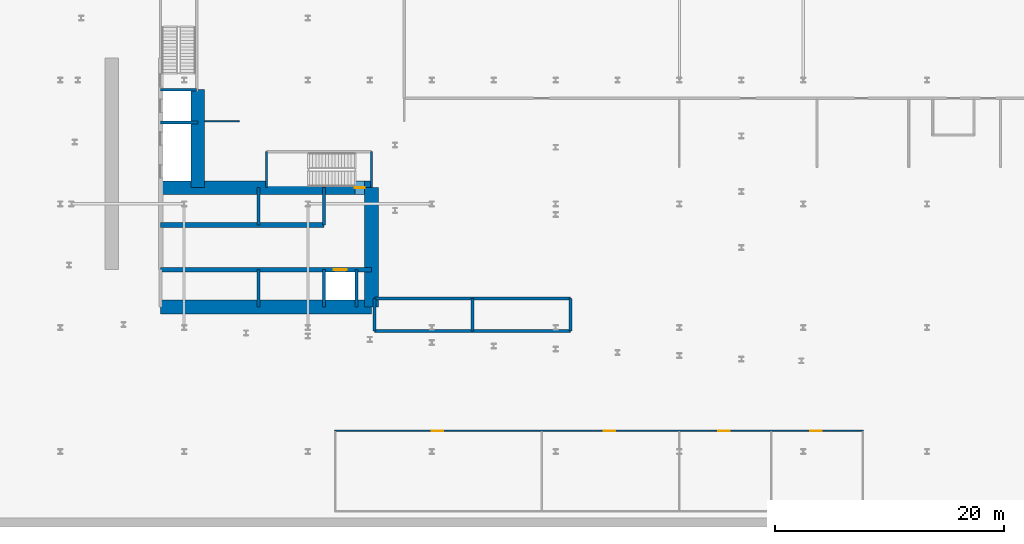
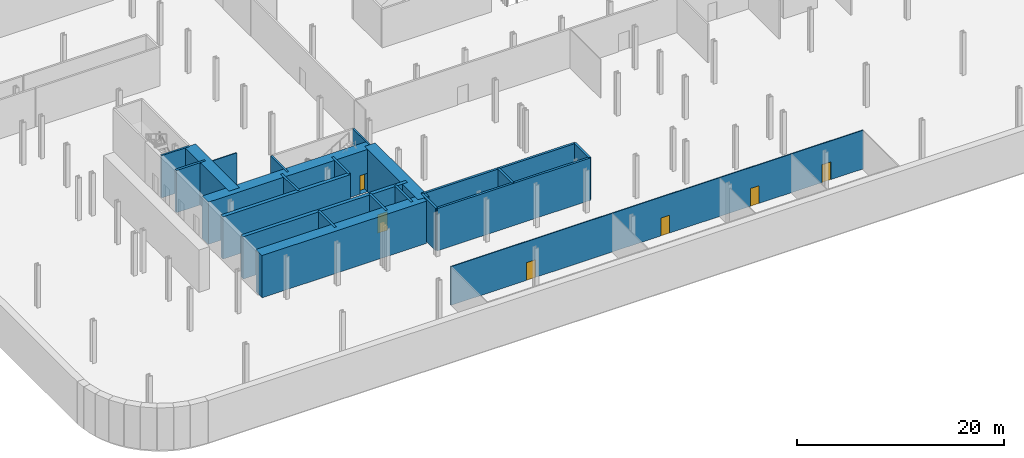
# One storey, part 8 of 19: 22 walls, 6 doors, 6 openings.
"""IFC4 building model written with IfcOpenShell, lengths in metres."""

from ifc_helpers import new_model, si_unit, direction, frame, frame_2d, origin, place, context, subcontext, project, spatial, rectangle, extrude, source, transform, mapped, material, layer, layer_set, type_object, element, fill, save


model = new_model("IFC4")

# Units and contexts
model_context = context("Model", 3, precision=1e-05, world=origin(), true_north=direction((0.0, 1.0)))
body_context = subcontext(model_context, "Body", "Model", "MODEL_VIEW")
ifc_project = project(units=[si_unit("LENGTHUNIT", "METRE"), si_unit("AREAUNIT", "SQUARE_METRE"), si_unit("VOLUMEUNIT", "CUBIC_METRE"), si_unit("PLANEANGLEUNIT", "RADIAN"), si_unit("MASSUNIT", "GRAM", prefix="KILO")], contexts=[model_context])

# Site, building, storey
site_placement = place(None, origin())
site = spatial("IfcSite", under=ifc_project, at=site_placement, CompositionType="ELEMENT")
building_placement = place(site_placement, origin())
building = spatial("IfcBuilding", under=site, at=building_placement, Name="Kheshtan School and Residences Tower", CompositionType="ELEMENT")
storey_placement = place(building_placement, frame((0.0, 0.0, -5.0)))
storey = spatial("IfcBuildingStorey", under=building, at=storey_placement, Name="B1", CompositionType="ELEMENT", Elevation=-5.0)

# Wall
ifc_material_1 = material(Name="Concrete C80/95", Category="concrete")
ifc_layer_1 = layer(ifc_material_1, 1.199951171875)
ifc_layer_set_1 = layer_set([ifc_layer_1], Name="Core wall 1200 Concrete C80/95")
wall_type_1 = type_object("IfcWallType", Name="Core wall 1200 Concrete C80/95", PredefinedType="SHEAR", material=ifc_layer_set_1)
wall_1_placement = place(storey_placement, frame((34.75, 25.800048828125, 0.0), z_axis=(0.0, 0.0, 1.0), x_axis=(1.0, 0.0, 0.0)))
element("IfcWall", 1, at=wall_1_placement, inside=storey, type_object=wall_type_1, Name="Core wall CW-REAR-S", PredefinedType="SHEAR", context=body_context, shape_type="SweptSolid", body=[
    extrude(rectangle(XDim=18.39990234375, YDim=1.199951171875, at=frame_2d((9.199951171875, 0.0))), origin(), (0.0, 0.0, 1.0), 5.0),
])

# Wall, opening, door
wall_2_placement = place(storey_placement, frame((34.75, 36.199951171875, 0.0), z_axis=(0.0, 0.0, 1.0), x_axis=(1.0, 0.0, 0.0)))
wall_2 = element("IfcWall", 2, at=wall_2_placement, inside=storey, type_object=wall_type_1, Name="Core wall CW-FRONT-S", PredefinedType="SHEAR", context=body_context, shape_type="SweptSolid", body=[
    extrude(rectangle(XDim=18.39990234375, YDim=1.199951171875, at=frame_2d((9.199951171875, 0.0))), origin(), (0.0, 0.0, 1.0), 5.0),
])
opening_1_placement = place(wall_2_placement, frame((16.955078125, 0.0, 0.0)))
opening_1 = element("IfcOpeningElement", 3, at=opening_1_placement, cuts=wall_2, Name="Opening ST1B", PredefinedType="OPENING", context=body_context, shape_type="SweptSolid", body=[
    extrude(rectangle(XDim=0.843017578125, YDim=2.199951171875, at=frame_2d((0.42138671875, 1.10009765625))), frame((0.0, 0.60986328125, 0.0), z_axis=(0.0, -1.0, 0.0), x_axis=(1.0, 0.0, 0.0)), (0.0, 0.0, 1.0), 1.219970703125),
])
ifc_material_2 = material(Name="Steel door leaf, galvanised", Category="steel")
door_type_1 = type_object("IfcDoorType", Name="Stair door 1100 steel 90 min", OperationType="SINGLE_SWING_LEFT", PredefinedType="DOOR", material=ifc_material_2)
shared_shape_1 = source(origin(), body_context, "Body", "SweptSolid", [
    extrude(rectangle(XDim=0.843017578125, YDim=2.199951171875, at=frame_2d((0.42138671875, 1.10009765625))), frame((0.0, 0.02490234375, 0.0), z_axis=(0.0, -1.0, 0.0), x_axis=(1.0, 0.0, 0.0)), (0.0, 0.0, 1.0), 0.050048828125),
])
door_1_placement = place(opening_1_placement, origin())
door_1 = element("IfcDoor", 4, at=door_1_placement, inside=storey, type_object=door_type_1, Name="Stair ST1 door", OperationType="SINGLE_SWING_RIGHT", OverallHeight=2.199951171875, OverallWidth=0.843017578125, PredefinedType="DOOR", context=body_context, shape_type="MappedRepresentation", body=[
    mapped(shared_shape_1, transform((0.0, 0.0, 0.0), x_axis=(1.0, 0.0, 0.0), y_axis=(0.0, 1.0, 0.0), z_axis=(0.0, 0.0, 1.0), scale=1.0)),
])
fill(opening_1, door_1)

# Walls
wall_3_placement = place(storey_placement, frame((38.0, 36.199951171875, 0.0), z_axis=(0.0, 0.0, 1.0), x_axis=(0.0, 1.0, 0.0)))
element("IfcWall", 5, at=wall_3_placement, inside=storey, type_object=wall_type_1, Name="Core wall CW-FRONT-W", PredefinedType="SHEAR", context=body_context, shape_type="SweptSolid", body=[
    extrude(rectangle(XDim=8.550048828125, YDim=1.199951171875, at=frame_2d((4.27490234375, 0.0))), origin(), (0.0, 0.0, 1.0), 5.0),
])
wall_4_placement = place(storey_placement, frame((53.14990234375, 25.800048828125, 0.0), z_axis=(0.0, 0.0, 1.0), x_axis=(0.0, 1.0, 0.0)))
element("IfcWall", 6, at=wall_4_placement, inside=storey, type_object=wall_type_1, Name="Core wall CW-EAST", PredefinedType="SHEAR", context=body_context, shape_type="SweptSolid", body=[
    extrude(rectangle(XDim=10.39990234375, YDim=1.199951171875, at=frame_2d((5.199951171875, 0.0))), origin(), (0.0, 0.0, 1.0), 5.0),
])

# Wall, opening, door
ifc_material_3 = material(Name="Concrete C50/60", Category="concrete")
ifc_layer_2 = layer(ifc_material_3, 0.39990234375)
ifc_layer_set_2 = layer_set([ifc_layer_2], Name="Core wall 400 Concrete C50/60")
wall_type_2 = type_object("IfcWallType", Name="Core wall 400 Concrete C50/60", PredefinedType="SHEAR", material=ifc_layer_set_2)
wall_5_placement = place(storey_placement, frame((34.75, 29.050048828125, 0.0), z_axis=(0.0, 0.0, 1.0), x_axis=(1.0, 0.0, 0.0)))
wall_5 = element("IfcWall", 7, at=wall_5_placement, inside=storey, type_object=wall_type_2, Name="Core wall CW-HALL-S1", PredefinedType="SHEAR", context=body_context, shape_type="SweptSolid", body=[
    extrude(rectangle(XDim=18.39990234375, YDim=0.39990234375, at=frame_2d((9.199951171875, 0.0))), origin(), (0.0, 0.0, 1.0), 5.0),
])
opening_2_placement = place(wall_5_placement, frame((15.125, 0.0, 0.0)))
opening_2 = element("IfcOpeningElement", 8, at=opening_2_placement, cuts=wall_5, Name="Opening LD", PredefinedType="OPENING", context=body_context, shape_type="SweptSolid", body=[
    extrude(rectangle(XDim=1.10009765625, YDim=2.199951171875, at=frame_2d((0.550048828125, 1.10009765625))), frame((0.0, 0.2099609375, 0.0), z_axis=(0.0, -1.0, 0.0), x_axis=(1.0, 0.0, 0.0)), (0.0, 0.0, 1.0), 0.419921875),
])
ifc_material_4 = material(Name="Stainless steel door leaves", Category="steel")
door_type_2 = type_object("IfcDoorType", Name="Lift landing door 1100", OperationType="SLIDING_TO_LEFT", PredefinedType="DOOR", material=ifc_material_4)
shared_shape_2 = source(origin(), body_context, "Body", "SweptSolid", [
    extrude(rectangle(XDim=1.10009765625, YDim=2.199951171875, at=frame_2d((0.550048828125, 1.10009765625))), frame((0.0, 0.02490234375, 0.0), z_axis=(0.0, -1.0, 0.0), x_axis=(1.0, 0.0, 0.0)), (0.0, 0.0, 1.0), 0.050048828125),
])
door_2_placement = place(opening_2_placement, origin())
door_2 = element("IfcDoor", 9, at=door_2_placement, inside=storey, type_object=door_type_2, Name="Lift FFL2 landing door", OperationType="SLIDING_TO_LEFT", OverallHeight=2.199951171875, OverallWidth=1.10009765625, PredefinedType="DOOR", context=body_context, shape_type="MappedRepresentation", body=[
    mapped(shared_shape_2, transform((0.0, 0.0, 0.0), x_axis=(1.0, 0.0, 0.0), y_axis=(0.0, 1.0, 0.0), z_axis=(0.0, 0.0, 1.0), scale=1.0)),
])
fill(opening_2, door_2)

# Walls
wall_6_placement = place(storey_placement, frame((34.75, 32.949951171875, 0.0), z_axis=(0.0, 0.0, 1.0), x_axis=(1.0, 0.0, 0.0)))
element("IfcWall", 10, at=wall_6_placement, inside=storey, type_object=wall_type_2, Name="Core wall CW-HALL-S2", PredefinedType="SHEAR", context=body_context, shape_type="SweptSolid", body=[
    extrude(rectangle(XDim=14.25, YDim=0.39990234375, at=frame_2d((7.125, 0.0))), origin(), (0.0, 0.0, 1.0), 5.0),
])
ifc_material_5 = material(Name="Gypsum board on steel studs", Category="steel")
ifc_layer_3 = layer(ifc_material_5, 0.10009765625)
ifc_layer_set_3 = layer_set([ifc_layer_3], Name="Gypsum partition 100")
wall_type_3 = type_object("IfcWallType", Name="Gypsum partition 100", PredefinedType="PARTITIONING", material=ifc_layer_set_3)
wall_7_placement = place(storey_placement, frame((38.59912109375, 42.0, 0.0), z_axis=(0.0, 0.0, 1.0), x_axis=(1.0, 0.0, 0.0)))
element("IfcWall", 11, at=wall_7_placement, inside=storey, type_object=wall_type_3, Name="Partition B1-012", PredefinedType="PARTITIONING", context=body_context, shape_type="SweptSolid", body=[
    extrude(rectangle(XDim=3.0009765625, YDim=0.10009765625, at=frame_2d((1.50048828125, 0.0))), origin(), (0.0, 0.0, 1.0), 4.580078125),
])

# Wall, openings, doors
wall_8_placement = place(storey_placement, frame((49.949951171875, 15.0, 0.0), z_axis=(0.0, 0.0, 1.0), x_axis=(1.0, 0.0, 0.0)))
wall_8 = element("IfcWall", 12, at=wall_8_placement, inside=storey, type_object=wall_type_3, Name="Partition B1-015", PredefinedType="PARTITIONING", context=body_context, shape_type="SweptSolid", body=[
    extrude(rectangle(XDim=46.10009765625, YDim=0.10009765625, at=frame_2d((23.050048828125, 0.0))), origin(), (0.0, 0.0, 1.0), 4.580078125),
])
opening_3_placement = place(wall_8_placement, frame((8.449951171875, 0.0, 0.0)))
opening_3 = element("IfcOpeningElement", 13, at=opening_3_placement, cuts=wall_8, Name="Opening D1-003", PredefinedType="OPENING", context=body_context, shape_type="SweptSolid", body=[
    extrude(rectangle(XDim=1.0, YDim=2.10009765625, at=frame_2d((0.5, 1.050048828125))), frame((0.0, 0.06005859375, 0.0), z_axis=(0.0, -1.0, 0.0), x_axis=(1.0, 0.0, 0.0)), (0.0, 0.0, 1.0), 0.1201171875),
])
opening_4_placement = place(wall_8_placement, frame((23.449951171875, 0.0, 0.0)))
opening_4 = element("IfcOpeningElement", 14, at=opening_4_placement, cuts=wall_8, Name="Opening D1-004", PredefinedType="OPENING", context=body_context, shape_type="SweptSolid", body=[
    extrude(rectangle(XDim=1.0, YDim=2.10009765625, at=frame_2d((0.5, 1.050048828125))), frame((0.0, 0.06005859375, 0.0), z_axis=(0.0, -1.0, 0.0), x_axis=(1.0, 0.0, 0.0)), (0.0, 0.0, 1.0), 0.1201171875),
])
opening_5_placement = place(wall_8_placement, frame((33.449951171875, 0.0, 0.0)))
opening_5 = element("IfcOpeningElement", 15, at=opening_5_placement, cuts=wall_8, Name="Opening D1-005", PredefinedType="OPENING", context=body_context, shape_type="SweptSolid", body=[
    extrude(rectangle(XDim=1.0, YDim=2.10009765625, at=frame_2d((0.5, 1.050048828125))), frame((0.0, 0.06005859375, 0.0), z_axis=(0.0, -1.0, 0.0), x_axis=(1.0, 0.0, 0.0)), (0.0, 0.0, 1.0), 0.1201171875),
])
opening_6_placement = place(wall_8_placement, frame((41.449951171875, 0.0, 0.0)))
opening_6 = element("IfcOpeningElement", 16, at=opening_6_placement, cuts=wall_8, Name="Opening D1-006", PredefinedType="OPENING", context=body_context, shape_type="SweptSolid", body=[
    extrude(rectangle(XDim=1.0, YDim=2.10009765625, at=frame_2d((0.5, 1.050048828125))), frame((0.0, 0.06005859375, 0.0), z_axis=(0.0, -1.0, 0.0), x_axis=(1.0, 0.0, 0.0)), (0.0, 0.0, 1.0), 0.1201171875),
])
ifc_material_6 = material(Name="Veneered timber door leaf", Category="wood")
door_type_3 = type_object("IfcDoorType", Name="Door 1000 x 2100", OperationType="SINGLE_SWING_LEFT", PredefinedType="DOOR", material=ifc_material_6)
shared_shape_3 = source(origin(), body_context, "Body", "SweptSolid", [
    extrude(rectangle(XDim=1.0, YDim=2.10009765625, at=frame_2d((0.5, 1.050048828125))), frame((0.0, 0.02490234375, 0.0), z_axis=(0.0, -1.0, 0.0), x_axis=(1.0, 0.0, 0.0)), (0.0, 0.0, 1.0), 0.050048828125),
])
door_3_placement = place(opening_3_placement, origin())
door_3 = element("IfcDoor", 17, at=door_3_placement, inside=storey, type_object=door_type_3, Name="Door D1-003", OperationType="SINGLE_SWING_RIGHT", OverallHeight=2.10009765625, OverallWidth=1.0, PredefinedType="DOOR", context=body_context, shape_type="MappedRepresentation", body=[
    mapped(shared_shape_3, transform((0.0, 0.0, 0.0), x_axis=(1.0, 0.0, 0.0), y_axis=(0.0, 1.0, 0.0), z_axis=(0.0, 0.0, 1.0), scale=1.0)),
])
fill(opening_3, door_3)
door_4_placement = place(opening_4_placement, origin())
door_4 = element("IfcDoor", 18, at=door_4_placement, inside=storey, type_object=door_type_3, Name="Door D1-004", OperationType="SINGLE_SWING_RIGHT", OverallHeight=2.10009765625, OverallWidth=1.0, PredefinedType="DOOR", context=body_context, shape_type="MappedRepresentation", body=[
    mapped(shared_shape_3, transform((0.0, 0.0, 0.0), x_axis=(1.0, 0.0, 0.0), y_axis=(0.0, 1.0, 0.0), z_axis=(0.0, 0.0, 1.0), scale=1.0)),
])
fill(opening_4, door_4)
door_5_placement = place(opening_5_placement, origin())
door_5 = element("IfcDoor", 19, at=door_5_placement, inside=storey, type_object=door_type_3, Name="Door D1-005", OperationType="SINGLE_SWING_RIGHT", OverallHeight=2.10009765625, OverallWidth=1.0, PredefinedType="DOOR", context=body_context, shape_type="MappedRepresentation", body=[
    mapped(shared_shape_3, transform((0.0, 0.0, 0.0), x_axis=(1.0, 0.0, 0.0), y_axis=(0.0, 1.0, 0.0), z_axis=(0.0, 0.0, 1.0), scale=1.0)),
])
fill(opening_5, door_5)
door_6_placement = place(opening_6_placement, origin())
door_6 = element("IfcDoor", 20, at=door_6_placement, inside=storey, type_object=door_type_3, Name="Door D1-006", OperationType="SINGLE_SWING_RIGHT", OverallHeight=2.10009765625, OverallWidth=1.0, PredefinedType="DOOR", context=body_context, shape_type="MappedRepresentation", body=[
    mapped(shared_shape_3, transform((0.0, 0.0, 0.0), x_axis=(1.0, 0.0, 0.0), y_axis=(0.0, 1.0, 0.0), z_axis=(0.0, 0.0, 1.0), scale=1.0)),
])
fill(opening_6, door_6)

# Walls
ifc_material_7 = material(Name="Fire-board shaft wall system")
ifc_layer_4 = layer(ifc_material_7, 0.25)
ifc_layer_set_4 = layer_set([ifc_layer_4], Name="Shaft lining wall 250")
wall_type_4 = type_object("IfcWallType", Name="Shaft lining wall 250", PredefinedType="PARTITIONING", material=ifc_layer_set_4)
for number, where, z_axis, x_axis, name in (
    (21, (43.300048828125, 25.800048828125, 0.0), (0.0, 0.0, 1.0), (0.0, 1.0, 0.0), "Shaft lining wall"),
    (22, (43.300048828125, 32.949951171875, 0.0), (0.0, 0.0, 1.0), (0.0, 1.0, 0.0), "Shaft lining wall"),
    (23, (49.0, 25.800048828125, 0.0), (0.0, 0.0, 1.0), (0.0, 1.0, 0.0), "Shaft lining wall"),
    (24, (49.0, 32.949951171875, 0.0), (0.0, 0.0, 1.0), (0.0, 1.0, 0.0), "Shaft lining wall"),
    (25, (51.85009765625, 25.800048828125, 0.0), (0.0, 0.0, 1.0), (0.0, 1.0, 0.0), "Shaft lining wall"),
):
    element("IfcWall", number, at=place(storey_placement, frame(where, z_axis=z_axis, x_axis=x_axis)), inside=storey, type_object=wall_type_4, Name=name, PredefinedType="PARTITIONING", context=body_context, shape_type="SweptSolid", body=[
        extrude(rectangle(XDim=3.25, YDim=0.25, at=frame_2d((1.625, 0.0))), origin(), (0.0, 0.0, 1.0), 5.0),
    ])
for number, where, z_axis, x_axis, name in (
    (26, (53.39990234375, 23.699951171875, 0.0), (0.0, 0.0, 1.0), (0.0, 1.0, 0.0), "Shaft lining wall"),
    (27, (61.949951171875, 23.699951171875, 0.0), (0.0, 0.0, 1.0), (0.0, 1.0, 0.0), "Shaft lining wall"),
    (28, (70.5, 23.699951171875, 0.0), (0.0, 0.0, 1.0), (0.0, 1.0, 0.0), "Shaft lining wall"),
):
    element("IfcWall", number, at=place(storey_placement, frame(where, z_axis=z_axis, x_axis=x_axis)), inside=storey, type_object=wall_type_4, Name=name, PredefinedType="PARTITIONING", context=body_context, shape_type="SweptSolid", body=[
        extrude(rectangle(XDim=2.85009765625, YDim=0.25, at=frame_2d((1.425048828125, 0.0))), origin(), (0.0, 0.0, 1.0), 5.0),
    ])
for number, where, z_axis, x_axis, name in (
    (29, (53.39990234375, 23.699951171875, 0.0), (0.0, 0.0, 1.0), (1.0, 0.0, 0.0), "Shaft lining wall"),
    (30, (53.39990234375, 26.550048828125, 0.0), (0.0, 0.0, 1.0), (1.0, 0.0, 0.0), "Shaft lining wall"),
):
    element("IfcWall", number, at=place(storey_placement, frame(where, z_axis=z_axis, x_axis=x_axis)), inside=storey, type_object=wall_type_4, Name=name, PredefinedType="PARTITIONING", context=body_context, shape_type="SweptSolid", body=[
        extrude(rectangle(XDim=17.10009765625, YDim=0.25, at=frame_2d((8.550048828125, 0.0))), origin(), (0.0, 0.0, 1.0), 5.0),
    ])
wall_9_placement = place(storey_placement, frame((34.75, 41.89990234375, 0.0), z_axis=(0.0, 0.0, 1.0), x_axis=(1.0, 0.0, 0.0)))
element("IfcWall", 31, at=wall_9_placement, inside=storey, type_object=wall_type_4, Name="Shaft lining wall", PredefinedType="PARTITIONING", context=body_context, shape_type="SweptSolid", body=[
    extrude(rectangle(XDim=3.25, YDim=0.25, at=frame_2d((1.625, 0.0))), origin(), (0.0, 0.0, 1.0), 5.0),
])
ifc_material_8 = material(Name="Concrete C40/50", Category="concrete")
ifc_layer_5 = layer(ifc_material_8, 0.199951171875)
ifc_layer_set_5 = layer_set([ifc_layer_5], Name="Stair enclosure wall 200 Concrete C40/50")
wall_type_5 = type_object("IfcWallType", Name="Stair enclosure wall 200 Concrete C40/50", PredefinedType="SHEAR", material=ifc_layer_set_5)
for number, where, z_axis, x_axis, name in (
    (32, (43.989990234375, 36.199951171875, 0.0), (0.0, 0.0, 1.0), (0.0, 1.0, 0.0), "Stair enclosure wall ST1"),
    (33, (53.14990234375, 36.199951171875, 0.0), (0.0, 0.0, 1.0), (0.0, 1.0, 0.0), "Stair enclosure wall ST1"),
):
    element("IfcWall", number, at=place(storey_placement, frame(where, z_axis=z_axis, x_axis=x_axis)), inside=storey, type_object=wall_type_5, Name=name, PredefinedType="SHEAR", context=body_context, shape_type="SweptSolid", body=[
        extrude(rectangle(XDim=3.150146484375, YDim=0.199951171875, at=frame_2d((1.5751953125, 0.0))), origin(), (0.0, 0.0, 1.0), 5.0),
    ])
wall_10_placement = place(storey_placement, frame((34.75, 44.75, 0.0), z_axis=(0.0, 0.0, 1.0), x_axis=(1.0, 0.0, 0.0)))
element("IfcWall", 34, at=wall_10_placement, inside=storey, type_object=wall_type_5, Name="Stair enclosure wall ST2", PredefinedType="SHEAR", context=body_context, shape_type="SweptSolid", body=[
    extrude(rectangle(XDim=3.14990234375, YDim=0.199951171875, at=frame_2d((1.574951171875, 0.0))), origin(), (0.0, 0.0, 1.0), 5.0),
])

save(model, "model.ifc")
